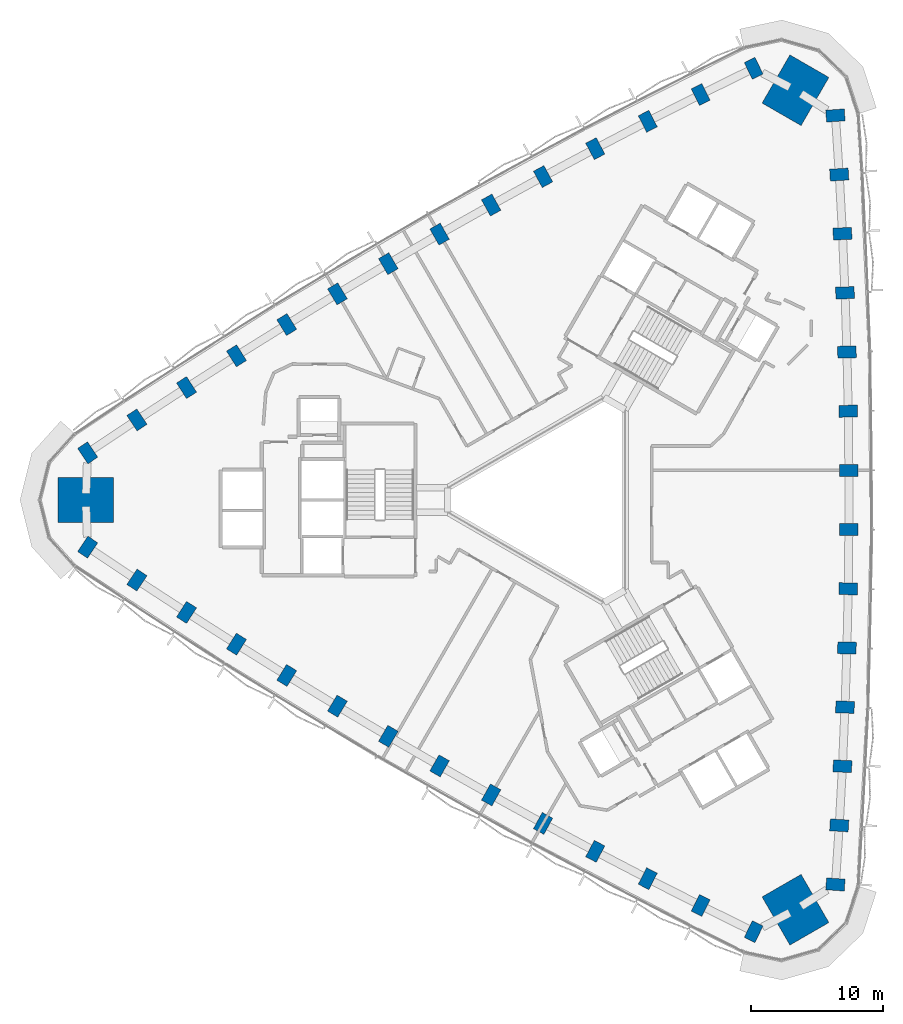
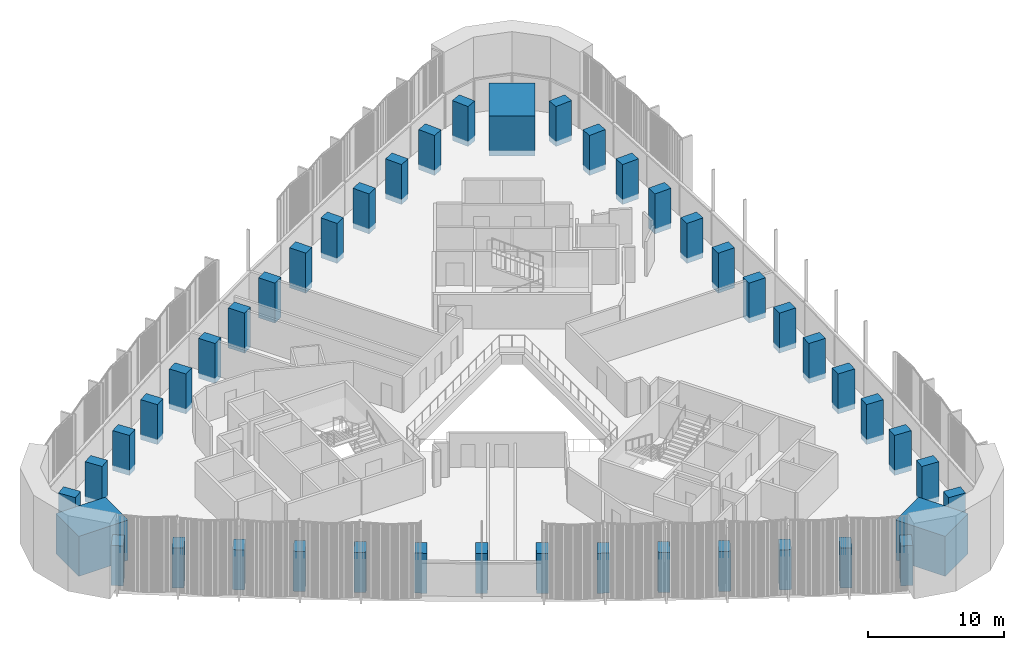
# One storey, part 1 of 15: 45 columns.
"""IFC4 building model written with IfcOpenShell, lengths in metres."""

from ifc_helpers import new_model, si_unit, direction, frame, origin, origin_2d, place, context, subcontext, project, spatial, rectangle, extrude, material, material_profile, profile_set, type_object, element, save


model = new_model("IFC4")

# Units and contexts
model_context = context("Model", 3, precision=1e-05, world=origin(), true_north=direction((0.0, 1.0)))
body_context = subcontext(model_context, "Body", "Model", "MODEL_VIEW")
ifc_project = project(units=[si_unit("LENGTHUNIT", "METRE"), si_unit("AREAUNIT", "SQUARE_METRE"), si_unit("VOLUMEUNIT", "CUBIC_METRE"), si_unit("PLANEANGLEUNIT", "RADIAN"), si_unit("MASSUNIT", "GRAM", prefix="KILO")], contexts=[model_context])

# Site, building, storey
site_placement = place(None, origin())
site = spatial("IfcSite", under=ifc_project, at=site_placement, CompositionType="ELEMENT")
building_placement = place(site_placement, origin())
building = spatial("IfcBuilding", under=site, at=building_placement, Name="Tamra Quay Hotel Tower", CompositionType="ELEMENT")
storey_placement = place(building_placement, frame((0.0, 0.0, 67.39990234375)))
storey = spatial("IfcBuildingStorey", under=building, at=storey_placement, Name="L15", CompositionType="ELEMENT", Elevation=67.39990234375)

# Columns
ifc_material = material(Name="Concrete M70", Category="concrete")
ifc_material_profile_1 = material_profile(ifc_material, rectangle(XDim=1.39990234375, YDim=0.89990234375, at=origin_2d()), Name="COLUMN RC 900x1400 Z1")
ifc_profile_set_1 = profile_set([ifc_material_profile_1], Name="Concrete M70")
column_type_1 = type_object("IfcColumnType", Name="COLUMN RC 900x1400 Z1", PredefinedType="COLUMN", material=ifc_profile_set_1)
for number, where, z_axis, x_axis, name in (
    (1, (20.87890625, -29.033935546875, -0.474853515625), (0.0, 0.0, 1.0), (-0.997561736499, 0.069789554182, 0.0), "COL-C1E01-L15"),
    (2, (21.168701171875, -24.572509765625, -0.474853515625), (0.0, 0.0, 1.0), (-0.998214376921, 0.059733221148, 0.0), "COL-C1E02-L15"),
    (3, (21.410400390625, -20.10888671875, -0.474853515625), (0.0, 0.0, 1.0), (-0.998830734492, 0.048344222345, 0.0), "COL-C1E03-L15"),
    (4, (21.60400390625, -15.642578125, -0.474853515625), (0.0, 0.0, 1.0), (-0.999284860458, 0.037812268629, 0.0), "COL-C1E04-L15"),
    (5, (21.7490234375, -11.17431640625, -0.474853515625), (0.0, 0.0, 1.0), (-0.999628128016, 0.02726913418, 0.0), "COL-C1E05-L15"),
    (6, (21.845947265625, -6.70556640625, -0.474853515625), (0.0, 0.0, 1.0), (-0.999874567832, 0.015838200722, 0.0), "COL-C1E06-L15"),
    (7, (21.894287109375, -2.2353515625, -0.474853515625), (0.0, 0.0, 1.0), (-0.999986062833, 0.00527959646, 0.0), "COL-C1E07-L15"),
    (8, (21.894287109375, 2.2353515625, -0.474853515625), (0.0, 0.0, 1.0), (0.999986062833, 0.00527959646, 0.0), "COL-C1E08-L15"),
    (9, (21.845947265625, 6.70556640625, -0.474853515625), (0.0, 0.0, 1.0), (0.999874567832, 0.015838200722, 0.0), "COL-C1E09-L15"),
    (10, (21.7490234375, 11.17431640625, -0.474853515625), (0.0, 0.0, 1.0), (0.999628128016, 0.02726913418, 0.0), "COL-C1E10-L15"),
    (11, (21.60400390625, 15.642578125, -0.474853515625), (0.0, 0.0, 1.0), (0.999284860458, 0.037812268629, 0.0), "COL-C1E11-L15"),
    (12, (21.410400390625, 20.10888671875, -0.474853515625), (0.0, 0.0, 1.0), (0.998830734492, 0.048344222345, 0.0), "COL-C1E12-L15"),
    (13, (21.168701171875, 24.572509765625, -0.474853515625), (0.0, 0.0, 1.0), (0.998214376921, 0.059733221148, 0.0), "COL-C1E13-L15"),
    (14, (20.87890625, 29.033935546875, -0.474853515625), (0.0, 0.0, 1.0), (0.997561736499, 0.069789554182, 0.0), "COL-C1E14-L15"),
    (15, (14.70458984375, 32.5986328125, -0.474853515625), (0.0, 0.0, 1.0), (-0.438341341409, 0.898808582743, 0.0), "COL-C1NW01-L15"),
    (16, (10.69580078125, 30.618896484375, -0.474853515625), (0.0, 0.0, 1.0), (-0.447376701496, 0.89434561941, 0.0), "COL-C1NW02-L15"),
    (17, (6.709716796875, 28.596435546875, -0.474853515625), (0.0, 0.0, 1.0), (-0.457548042569, 0.889184901323, 0.0), "COL-C1NW03-L15"),
    (18, (2.744873046875, 26.53076171875, -0.474853515625), (0.0, 0.0, 1.0), (-0.466896045022, 0.884312209088, 0.0), "COL-C1NW04-L15"),
    (19, (-1.197265625, 24.422607421875, -0.474853515625), (0.0, 0.0, 1.0), (-0.476198301069, 0.879337920289, 0.0), "COL-C1NW05-L15"),
    (20, (-5.11572265625, 22.27197265625, -0.474853515625), (0.0, 0.0, 1.0), (-0.486220999741, 0.873835876702, 0.0), "COL-C1NW06-L15"),
    (21, (-9.011474609375, 20.07861328125, -0.474853515625), (0.0, 0.0, 1.0), (-0.495420766761, 0.868653132074, 0.0), "COL-C1NW07-L15"),
    (22, (-12.883056640625, 17.843505859375, -0.474853515625), (0.0, 0.0, 1.0), (-0.504565296072, 0.863373535614, 0.0), "COL-C1NW08-L15"),
    (23, (-16.72998046875, 15.56640625, -0.474853515625), (0.0, 0.0, 1.0), (-0.513653568092, 0.85799767598, 0.0), "COL-C1NW09-L15"),
    (24, (-20.552001953125, 13.248046875, -0.474853515625), (0.0, 0.0, 1.0), (-0.523429826947, 0.85206878611, 0.0), "COL-C1NW10-L15"),
    (25, (-24.348876953125, 10.88818359375, -0.474853515625), (0.0, 0.0, 1.0), (-0.532388815436, 0.84649994046, 0.0), "COL-C1NW11-L15"),
    (26, (-28.1201171875, 8.487548828125, -0.474853515625), (0.0, 0.0, 1.0), (-0.541282691923, 0.840840678978, 0.0), "COL-C1NW12-L15"),
    (27, (-31.86474609375, 6.04638671875, -0.474853515625), (0.0, 0.0, 1.0), (-0.550837675425, 0.834612398262, 0.0), "COL-C1NW13-L15"),
    (28, (-35.58349609375, 3.564697265625, -0.474853515625), (0.0, 0.0, 1.0), (-0.55922039509, 0.82901902856, 0.0), "COL-C1NW14-L15"),
    (29, (-35.58349609375, -3.564697265625, -0.474853515625), (0.0, 0.0, 1.0), (0.55922039509, 0.82901902856, 0.0), "COL-C1SW01-L15"),
    (30, (-31.86474609375, -6.04638671875, -0.474853515625), (0.0, 0.0, 1.0), (0.550837675425, 0.834612398262, 0.0), "COL-C1SW02-L15"),
    (31, (-28.1201171875, -8.487548828125, -0.474853515625), (0.0, 0.0, 1.0), (0.541282691923, 0.840840678978, 0.0), "COL-C1SW03-L15"),
    (32, (-24.348876953125, -10.88818359375, -0.474853515625), (0.0, 0.0, 1.0), (0.532388815436, 0.84649994046, 0.0), "COL-C1SW04-L15"),
    (33, (-20.552001953125, -13.248046875, -0.474853515625), (0.0, 0.0, 1.0), (0.523429826947, 0.85206878611, 0.0), "COL-C1SW05-L15"),
    (34, (-16.72998046875, -15.56640625, -0.474853515625), (0.0, 0.0, 1.0), (0.513653568092, 0.85799767598, 0.0), "COL-C1SW06-L15"),
    (35, (-12.883056640625, -17.843505859375, -0.474853515625), (0.0, 0.0, 1.0), (0.504565296072, 0.863373535614, 0.0), "COL-C1SW07-L15"),
    (36, (-9.011474609375, -20.07861328125, -0.474853515625), (0.0, 0.0, 1.0), (0.495420766761, 0.868653132074, 0.0), "COL-C1SW08-L15"),
    (37, (-5.11572265625, -22.27197265625, -0.474853515625), (0.0, 0.0, 1.0), (0.486220999741, 0.873835876702, 0.0), "COL-C1SW09-L15"),
    (38, (-1.197265625, -24.422607421875, -0.474853515625), (0.0, 0.0, 1.0), (0.476198301069, 0.879337920289, 0.0), "COL-C1SW10-L15"),
    (39, (2.744873046875, -26.53076171875, -0.474853515625), (0.0, 0.0, 1.0), (0.466896045022, 0.884312209088, 0.0), "COL-C1SW11-L15"),
    (40, (6.709716796875, -28.596435546875, -0.474853515625), (0.0, 0.0, 1.0), (0.457548042569, 0.889184901323, 0.0), "COL-C1SW12-L15"),
    (41, (10.69580078125, -30.618896484375, -0.474853515625), (0.0, 0.0, 1.0), (0.447376701496, 0.89434561941, 0.0), "COL-C1SW13-L15"),
    (42, (14.70458984375, -32.5986328125, -0.474853515625), (0.0, 0.0, 1.0), (0.438341341409, 0.898808582743, 0.0), "COL-C1SW14-L15"),
):
    element("IfcColumn", number, at=place(storey_placement, frame(where, z_axis=z_axis, x_axis=x_axis)), inside=storey, type_object=column_type_1, Name=name, PredefinedType="COLUMN", context=body_context, shape_type="SweptSolid", body=[
        extrude(rectangle(XDim=1.39990234375, YDim=0.89990234375, at=origin_2d()), origin(), (0.0, 0.0, 1.0), 3.599853515625),
    ])
ifc_material_profile_2 = material_profile(ifc_material, rectangle(XDim=4.199951171875, YDim=3.39990234375, at=origin_2d()), Name="MEGA COLUMN RC 3400x4200 Z1")
ifc_profile_set_2 = profile_set([ifc_material_profile_2], Name="Concrete M70")
column_type_2 = type_object("IfcColumnType", Name="MEGA COLUMN RC 3400x4200 Z1", PredefinedType="COLUMN", material=ifc_profile_set_2)
for number, where, z_axis, x_axis, name in (
    (43, (17.864501953125, 30.942138671875, -0.474853515625), (0.0, 0.0, 1.0), (0.5, 0.866025403784, 0.0), "COL-M1NE-L15"),
    (44, (-35.72900390625, 0.0, -0.474853515625), (0.0, 0.0, 1.0), (1.0, 0.0, 0.0), "COL-M1W-L15"),
    (45, (17.864501953125, -30.942138671875, -0.474853515625), (0.0, 0.0, 1.0), (-0.5, 0.866025403784, 0.0), "COL-M1SE-L15"),
):
    element("IfcColumn", number, at=place(storey_placement, frame(where, z_axis=z_axis, x_axis=x_axis)), inside=storey, type_object=column_type_2, Name=name, PredefinedType="COLUMN", context=body_context, shape_type="SweptSolid", body=[
        extrude(rectangle(XDim=4.199951171875, YDim=3.39990234375, at=origin_2d()), origin(), (0.0, 0.0, 1.0), 3.599853515625),
    ])

save(model, "model.ifc")
